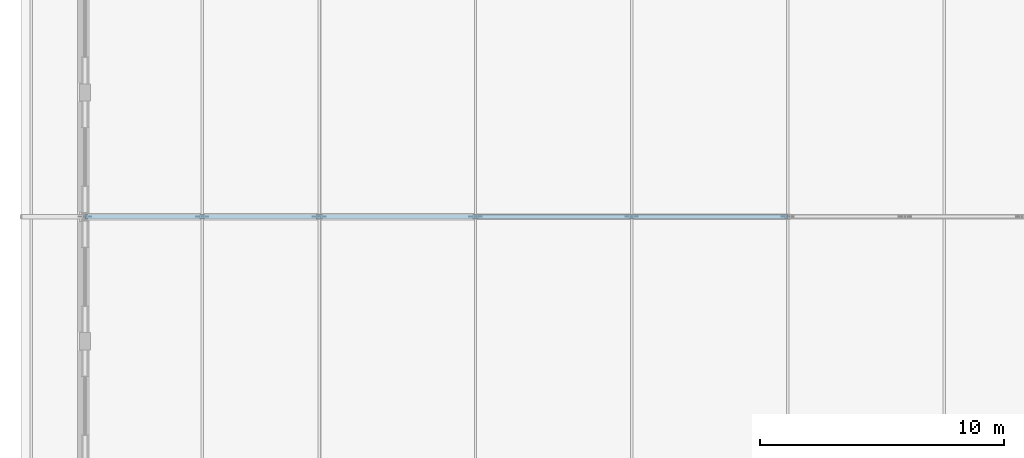
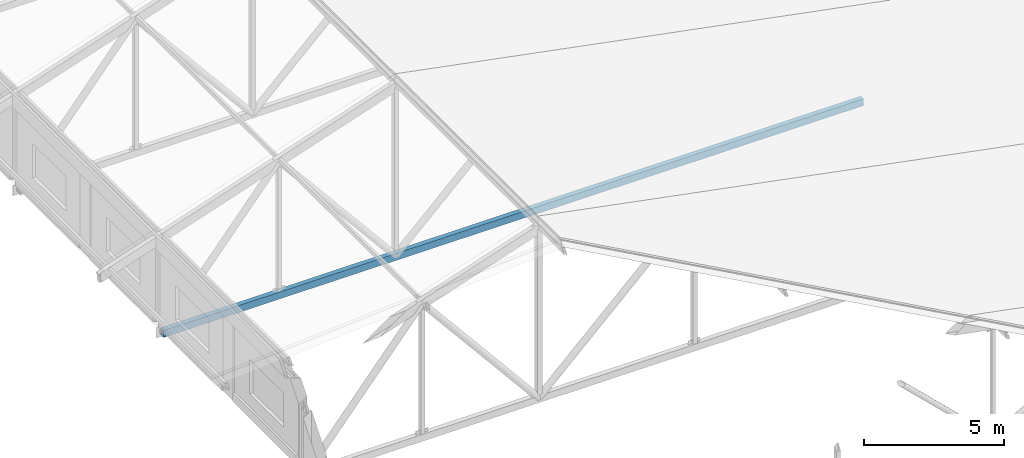
# One storey, part 52 of 200: 1 member.
"""IFC4 building model written with IfcOpenShell, lengths in metres."""

from ifc_helpers import new_model, si_unit, direction, frame, origin, origin_2d, place, context, subcontext, project, spatial, hollow_rectangle, extrude, material, material_profile, profile_set, type_object, element, save


model = new_model("IFC4")

# Units and contexts
model_context = context("Model", 3, precision=1e-05, world=origin(), true_north=direction((0.0, 1.0)))
body_context = subcontext(model_context, "Body", "Model", "MODEL_VIEW")
ifc_project = project(units=[si_unit("LENGTHUNIT", "METRE"), si_unit("AREAUNIT", "SQUARE_METRE"), si_unit("VOLUMEUNIT", "CUBIC_METRE"), si_unit("PLANEANGLEUNIT", "RADIAN"), si_unit("MASSUNIT", "GRAM", prefix="KILO")], contexts=[model_context])

# Site, building, storey
site_placement = place(None, origin())
site = spatial("IfcSite", under=ifc_project, at=site_placement, CompositionType="ELEMENT")
building_placement = place(site_placement, origin())
building = spatial("IfcBuilding", under=site, at=building_placement, Name="Vondelvale Polytechnic", CompositionType="ELEMENT")
storey_placement = place(building_placement, frame((0.0, 0.0, 13.800048828125)))
storey = spatial("IfcBuildingStorey", under=building, at=storey_placement, Name="L03", CompositionType="ELEMENT", Elevation=13.800048828125)

# Member
ifc_material = material(Name="Steel C350L0 (fy = 350 MPa)", Category="steel")
ifc_material_profile = material_profile(ifc_material, hollow_rectangle(XDim=0.199951171875, YDim=0.300048828125, WallThickness=0.008056640625, at=origin_2d()), Name="300x200x8.0RHS")
ifc_profile_set = profile_set([ifc_material_profile], Name="Steel C350L0 (fy = 350 MPa)")
member_type = type_object("IfcMemberType", Name="ROOF TRUSS BOT CHORD 300RHS", PredefinedType="CHORD", material=ifc_profile_set)
member_placement = place(storey_placement, frame((0.0, 91.800048828125, -0.420166015625), z_axis=(1.0, 0.0, 0.0), x_axis=(0.0, 1.0, 0.0)))
element("IfcMember", 1, at=member_placement, inside=storey, type_object=member_type, Name="ROOF TRUSS TR-05 bottom chord 1", PredefinedType="CHORD", context=body_context, shape_type="SweptSolid", body=[
    extrude(hollow_rectangle(XDim=0.199951171875, YDim=0.300048828125, WallThickness=0.008056640625, at=origin_2d()), origin(), (0.0, 0.0, 1.0), 28.800048828125),
])

save(model, "model.ifc")
